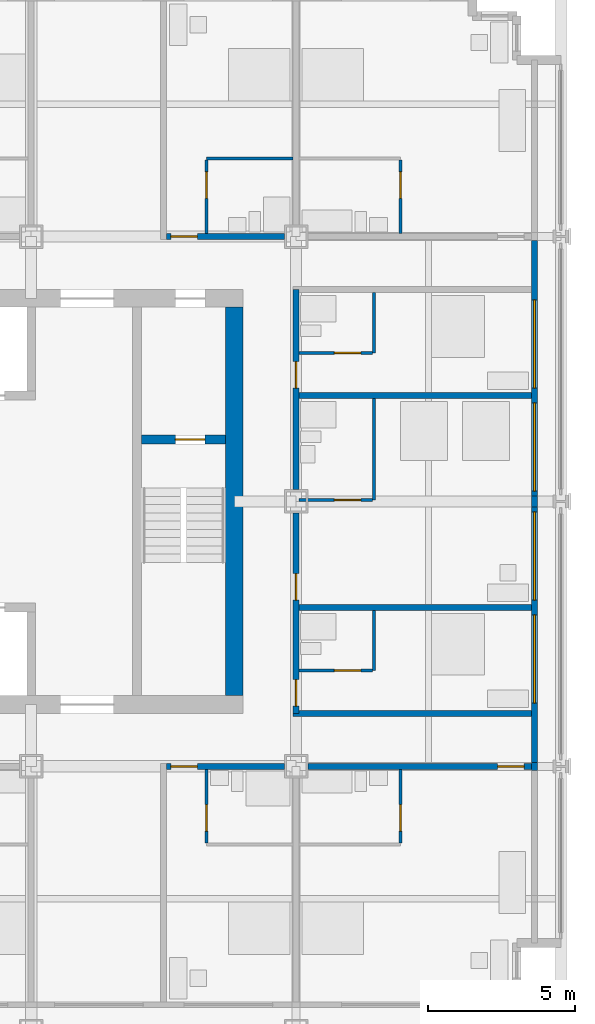
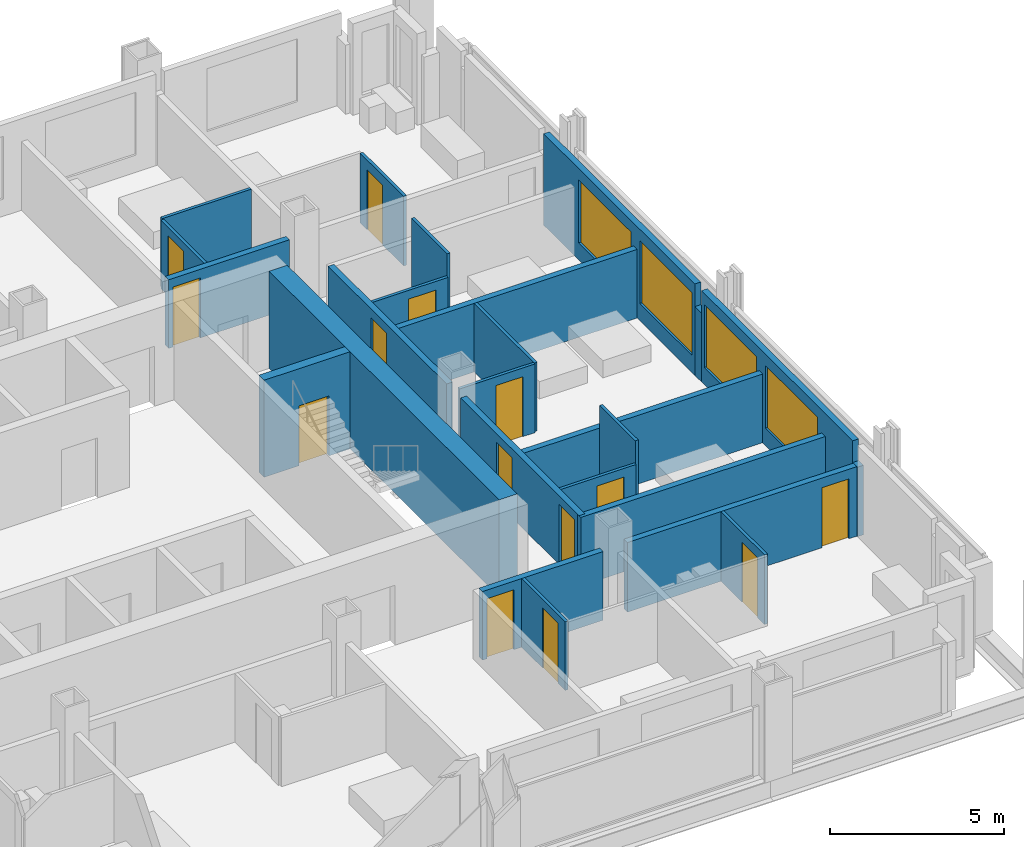
# One storey, part 12 of 17: 25 walls, 14 doors, 4 windows, 18 openings.
"""IFC4 building model written with IfcOpenShell, lengths in metres."""

from ifc_helpers import new_model, si_unit, direction, frame, frame_2d, origin, place, context, subcontext, project, spatial, rectangle, extrude, material, layer, layer_set, type_object, element, fill, save


model = new_model("IFC4")

# Units and contexts
model_context = context("Model", 3, precision=1e-05, world=origin(), true_north=direction((0.0, 1.0)))
body_context = subcontext(model_context, "Body", "Model", "MODEL_VIEW")
ifc_project = project(units=[si_unit("LENGTHUNIT", "METRE"), si_unit("AREAUNIT", "SQUARE_METRE"), si_unit("VOLUMEUNIT", "CUBIC_METRE"), si_unit("PLANEANGLEUNIT", "RADIAN"), si_unit("MASSUNIT", "GRAM", prefix="KILO")], contexts=[model_context])

# Site, building, storey
site_placement = place(None, origin())
site = spatial("IfcSite", under=ifc_project, at=site_placement, CompositionType="ELEMENT")
building_placement = place(site_placement, origin())
building = spatial("IfcBuilding", under=site, at=building_placement, Name="Loomwork Tower", CompositionType="ELEMENT")
storey_placement = place(building_placement, frame((0.0, 0.0, 141.800048828125)))
storey = spatial("IfcBuildingStorey", under=building, at=storey_placement, Name="L38", CompositionType="ELEMENT", Elevation=141.800048828125)

# Wall, opening, door
ifc_material_1 = material(Name="Concrete 14000 psi (97 MPa)", Category="concrete")
ifc_layer_1 = layer(ifc_material_1, 0.300048828125)
ifc_layer_set_1 = layer_set([ifc_layer_1], Name="Core shear wall 300")
wall_type_1 = type_object("IfcWallType", Name="Core shear wall 300", PredefinedType="SHEAR", material=ifc_layer_set_1)
wall_1_placement = place(storey_placement, frame((30.75, 20.10009765625, 0.0), z_axis=(0.0, 0.0, 1.0), x_axis=(1.0, 0.0, 0.0)))
wall_1 = element("IfcWall", 1, at=wall_1_placement, inside=storey, type_object=wall_type_1, Name="Stair B north wall L38", PredefinedType="SHEAR", context=body_context, shape_type="SweptSolid", body=[
    extrude(rectangle(XDim=2.85009765625, YDim=0.300048828125, at=frame_2d((1.425048828125, 0.0))), origin(), (0.0, 0.0, 1.0), 3.39990234375),
])
opening_1_placement = place(wall_1_placement, frame((1.14990234375, 0.0, 0.0)))
opening_1 = element("IfcOpeningElement", 2, at=opening_1_placement, cuts=wall_1, Name="Opening D4", PredefinedType="OPENING", context=body_context, shape_type="SweptSolid", body=[
    extrude(rectangle(XDim=1.0, YDim=2.10009765625, at=frame_2d((0.5, 1.050048828125))), frame((0.0, 0.159912109375, 0.0), z_axis=(0.0, -1.0, 0.0), x_axis=(1.0, 0.0, 0.0)), (0.0, 0.0, 1.0), 0.320068359375),
])
ifc_material_2 = material(Name="Hollow metal door and frame")
door_type_1 = type_object("IfcDoorType", Name="Stair door 1000", OperationType="SINGLE_SWING_RIGHT", PredefinedType="DOOR", material=ifc_material_2)
door_1_placement = place(opening_1_placement, frame((1.0, 0.0, 0.0), z_axis=(0.0, 0.0, 1.0), x_axis=(-1.0, 0.0, 0.0)))
door_1 = element("IfcDoor", 3, at=door_1_placement, inside=storey, type_object=door_type_1, Name="Stair B door", OperationType="SINGLE_SWING_LEFT", OverallHeight=2.10009765625, OverallWidth=1.0, PredefinedType="DOOR", context=body_context, shape_type="SweptSolid", body=[
    extrude(rectangle(XDim=1.0, YDim=2.10009765625, at=frame_2d((0.5, 1.050048828125))), frame((0.0, 0.02490234375, 0.0), z_axis=(0.0, -1.0, 0.0), x_axis=(1.0, 0.0, 0.0)), (0.0, 0.0, 1.0), 0.050048828125),
])
fill(opening_1, door_1)

# Wall
ifc_material_3 = material(Name="Concrete 14000 psi (97 MPa)", Category="concrete")
ifc_layer_2 = layer(ifc_material_3, 0.60009765625)
ifc_layer_set_2 = layer_set([ifc_layer_2], Name="Core shear wall 600")
wall_type_2 = type_object("IfcWallType", Name="Core shear wall 600", PredefinedType="SHEAR", material=ifc_layer_set_2)
wall_2_placement = place(storey_placement, frame((33.89990234375, 11.39990234375, 0.0), z_axis=(0.0, 0.0, 1.0), x_axis=(0.0, 1.0, 0.0)))
element("IfcWall", 4, at=wall_2_placement, inside=storey, type_object=wall_type_2, Name="Core wall east L38", PredefinedType="SHEAR", context=body_context, shape_type="SweptSolid", body=[
    extrude(rectangle(XDim=13.2001953125, YDim=0.60009765625, at=frame_2d((6.60009765625, 0.0))), origin(), (0.0, 0.0, 1.0), 3.39990234375),
])

# Wall, opening, door
ifc_material_4 = material(Name="Gypsum board on steel studs, one-hour", Category="steel")
ifc_layer_3 = layer(ifc_material_4, 0.199951171875)
ifc_layer_set_3 = layer_set([ifc_layer_3], Name="Corridor wall 200")
wall_type_3 = type_object("IfcWallType", Name="Corridor wall 200", PredefinedType="PARTITIONING", material=ifc_layer_set_3)
wall_3_placement = place(storey_placement, frame((31.60009765625, 9.0, 0.0), z_axis=(0.0, 0.0, 1.0), x_axis=(1.0, 0.0, 0.0)))
wall_3 = element("IfcWall", 5, at=wall_3_placement, inside=storey, type_object=wall_type_3, Name="South corridor wall 4", PredefinedType="PARTITIONING", context=body_context, shape_type="SweptSolid", body=[
    extrude(rectangle(XDim=4.0, YDim=0.199951171875, at=frame_2d((2.0, 0.0))), origin(), (0.0, 0.0, 1.0), 2.405029296875),
])
opening_2_placement = place(wall_3_placement, frame((0.14990234375, 0.0, 0.0)))
opening_2 = element("IfcOpeningElement", 6, at=opening_2_placement, cuts=wall_3, Name="Opening D1", PredefinedType="OPENING", context=body_context, shape_type="SweptSolid", body=[
    extrude(rectangle(XDim=0.89990234375, YDim=2.10009765625, at=frame_2d((0.449951171875, 1.050048828125))), frame((0.0, 0.10986328125, 0.0), z_axis=(0.0, -1.0, 0.0), x_axis=(1.0, 0.0, 0.0)), (0.0, 0.0, 1.0), 0.219970703125),
])
ifc_material_5 = material(Name="Hollow metal door and frame")
door_type_2 = type_object("IfcDoorType", Name="Guest room entry door 900", OperationType="SINGLE_SWING_LEFT", PredefinedType="DOOR", material=ifc_material_5)
door_2_placement = place(opening_2_placement, frame((0.89990234375, 0.0, 0.0), z_axis=(0.0, 0.0, 1.0), x_axis=(-1.0, 0.0, 0.0)))
door_2 = element("IfcDoor", 7, at=door_2_placement, inside=storey, type_object=door_type_2, Name="Guest room entry door L38 5", OperationType="SINGLE_SWING_RIGHT", OverallHeight=2.10009765625, OverallWidth=0.89990234375, PredefinedType="DOOR", context=body_context, shape_type="SweptSolid", body=[
    extrude(rectangle(XDim=0.89990234375, YDim=2.10009765625, at=frame_2d((0.449951171875, 1.050048828125))), frame((0.0, 0.02490234375, 0.0), z_axis=(0.0, -1.0, 0.0), x_axis=(1.0, 0.0, 0.0)), (0.0, 0.0, 1.0), 0.050048828125),
])
fill(opening_2, door_2)

wall_4_placement = place(storey_placement, frame((36.39990234375, 9.0, 0.0), z_axis=(0.0, 0.0, 1.0), x_axis=(1.0, 0.0, 0.0)))
wall_4 = element("IfcWall", 8, at=wall_4_placement, inside=storey, type_object=wall_type_3, Name="South corridor wall 5", PredefinedType="PARTITIONING", context=body_context, shape_type="SweptSolid", body=[
    extrude(rectangle(XDim=7.60009765625, YDim=0.199951171875, at=frame_2d((3.800048828125, 0.0))), origin(), (0.0, 0.0, 1.0), 2.43798828125),
])
opening_3_placement = place(wall_4_placement, frame((6.449951171875, 0.0, 0.0)))
opening_3 = element("IfcOpeningElement", 9, at=opening_3_placement, cuts=wall_4, Name="Opening D1", PredefinedType="OPENING", context=body_context, shape_type="SweptSolid", body=[
    extrude(rectangle(XDim=0.89990234375, YDim=2.10009765625, at=frame_2d((0.449951171875, 1.050048828125))), frame((0.0, 0.10986328125, 0.0), z_axis=(0.0, -1.0, 0.0), x_axis=(1.0, 0.0, 0.0)), (0.0, 0.0, 1.0), 0.219970703125),
])
door_3_placement = place(opening_3_placement, frame((0.89990234375, 0.0, 0.0), z_axis=(0.0, 0.0, 1.0), x_axis=(-1.0, 0.0, 0.0)))
door_3 = element("IfcDoor", 10, at=door_3_placement, inside=storey, type_object=door_type_2, Name="Guest room entry door L38 6", OperationType="SINGLE_SWING_LEFT", OverallHeight=2.10009765625, OverallWidth=0.89990234375, PredefinedType="DOOR", context=body_context, shape_type="SweptSolid", body=[
    extrude(rectangle(XDim=0.89990234375, YDim=2.10009765625, at=frame_2d((0.449951171875, 1.050048828125))), frame((0.0, 0.02490234375, 0.0), z_axis=(0.0, -1.0, 0.0), x_axis=(1.0, 0.0, 0.0)), (0.0, 0.0, 1.0), 0.050048828125),
])
fill(opening_3, door_3)

wall_5_placement = place(storey_placement, frame((31.60009765625, 27.0, 0.0), z_axis=(0.0, 0.0, 1.0), x_axis=(1.0, 0.0, 0.0)))
wall_5 = element("IfcWall", 11, at=wall_5_placement, inside=storey, type_object=wall_type_3, Name="North corridor wall 4", PredefinedType="PARTITIONING", context=body_context, shape_type="SweptSolid", body=[
    extrude(rectangle(XDim=4.0, YDim=0.199951171875, at=frame_2d((2.0, 0.0))), origin(), (0.0, 0.0, 1.0), 2.405029296875),
])
opening_4_placement = place(wall_5_placement, frame((0.14990234375, 0.0, 0.0)))
opening_4 = element("IfcOpeningElement", 12, at=opening_4_placement, cuts=wall_5, Name="Opening D1", PredefinedType="OPENING", context=body_context, shape_type="SweptSolid", body=[
    extrude(rectangle(XDim=0.89990234375, YDim=2.10009765625, at=frame_2d((0.449951171875, 1.050048828125))), frame((0.0, 0.10986328125, 0.0), z_axis=(0.0, -1.0, 0.0), x_axis=(1.0, 0.0, 0.0)), (0.0, 0.0, 1.0), 0.219970703125),
])
door_4_placement = place(opening_4_placement, origin())
door_4 = element("IfcDoor", 13, at=door_4_placement, inside=storey, type_object=door_type_2, Name="Guest room entry door L38 12", OperationType="SINGLE_SWING_LEFT", OverallHeight=2.10009765625, OverallWidth=0.89990234375, PredefinedType="DOOR", context=body_context, shape_type="SweptSolid", body=[
    extrude(rectangle(XDim=0.89990234375, YDim=2.10009765625, at=frame_2d((0.449951171875, 1.050048828125))), frame((0.0, 0.02490234375, 0.0), z_axis=(0.0, -1.0, 0.0), x_axis=(1.0, 0.0, 0.0)), (0.0, 0.0, 1.0), 0.050048828125),
])
fill(opening_4, door_4)

# Wall, openings, doors
wall_6_placement = place(storey_placement, frame((36.0, 10.800048828125, 0.0), z_axis=(0.0, 0.0, 1.0), x_axis=(0.0, 1.0, 0.0)))
wall_6 = element("IfcWall", 14, at=wall_6_placement, inside=storey, type_object=wall_type_3, Name="East corridor wall 1", PredefinedType="PARTITIONING", context=body_context, shape_type="SweptSolid", body=[
    extrude(rectangle(XDim=6.800048828125, YDim=0.199951171875, at=frame_2d((3.39990234375, 0.0))), origin(), (0.0, 0.0, 1.0), 2.405029296875),
])
opening_5_placement = place(wall_6_placement, frame((0.25, 0.0, 0.0)))
opening_5 = element("IfcOpeningElement", 15, at=opening_5_placement, cuts=wall_6, Name="Opening D1", PredefinedType="OPENING", context=body_context, shape_type="SweptSolid", body=[
    extrude(rectangle(XDim=0.89990234375, YDim=2.10009765625, at=frame_2d((0.449951171875, 1.050048828125))), frame((0.0, 0.10986328125, 0.0), z_axis=(0.0, -1.0, 0.0), x_axis=(1.0, 0.0, 0.0)), (0.0, 0.0, 1.0), 0.219970703125),
])
opening_6_placement = place(wall_6_placement, frame((3.85009765625, 0.0, 0.0)))
opening_6 = element("IfcOpeningElement", 16, at=opening_6_placement, cuts=wall_6, Name="Opening D1", PredefinedType="OPENING", context=body_context, shape_type="SweptSolid", body=[
    extrude(rectangle(XDim=0.89990234375, YDim=2.10009765625, at=frame_2d((0.449951171875, 1.050048828125))), frame((0.0, 0.10986328125, 0.0), z_axis=(0.0, -1.0, 0.0), x_axis=(1.0, 0.0, 0.0)), (0.0, 0.0, 1.0), 0.219970703125),
])
door_5_placement = place(opening_5_placement, frame((0.89990234375, 0.0, 0.0), z_axis=(0.0, 0.0, 1.0), x_axis=(-1.0, 0.0, 0.0)))
door_5 = element("IfcDoor", 17, at=door_5_placement, inside=storey, type_object=door_type_2, Name="Guest room entry door L38 17", OperationType="SINGLE_SWING_RIGHT", OverallHeight=2.10009765625, OverallWidth=0.89990234375, PredefinedType="DOOR", context=body_context, shape_type="SweptSolid", body=[
    extrude(rectangle(XDim=0.89990234375, YDim=2.10009765625, at=frame_2d((0.449951171875, 1.050048828125))), frame((0.0, 0.02490234375, 0.0), z_axis=(0.0, -1.0, 0.0), x_axis=(1.0, 0.0, 0.0)), (0.0, 0.0, 1.0), 0.050048828125),
])
fill(opening_5, door_5)
door_6_placement = place(opening_6_placement, frame((0.89990234375, 0.0, 0.0), z_axis=(0.0, 0.0, 1.0), x_axis=(-1.0, 0.0, 0.0)))
door_6 = element("IfcDoor", 18, at=door_6_placement, inside=storey, type_object=door_type_2, Name="Guest room entry door L38 18", OperationType="SINGLE_SWING_RIGHT", OverallHeight=2.10009765625, OverallWidth=0.89990234375, PredefinedType="DOOR", context=body_context, shape_type="SweptSolid", body=[
    extrude(rectangle(XDim=0.89990234375, YDim=2.10009765625, at=frame_2d((0.449951171875, 1.050048828125))), frame((0.0, 0.02490234375, 0.0), z_axis=(0.0, -1.0, 0.0), x_axis=(1.0, 0.0, 0.0)), (0.0, 0.0, 1.0), 0.050048828125),
])
fill(opening_6, door_6)

# Wall, opening, door
wall_7_placement = place(storey_placement, frame((36.0, 18.39990234375, 0.0), z_axis=(0.0, 0.0, 1.0), x_axis=(0.0, 1.0, 0.0)))
wall_7 = element("IfcWall", 19, at=wall_7_placement, inside=storey, type_object=wall_type_3, Name="East corridor wall 2", PredefinedType="PARTITIONING", context=body_context, shape_type="SweptSolid", body=[
    extrude(rectangle(XDim=6.800048828125, YDim=0.199951171875, at=frame_2d((3.39990234375, 0.0))), origin(), (0.0, 0.0, 1.0), 2.405029296875),
])
opening_7_placement = place(wall_7_placement, frame((3.449951171875, 0.0, 0.0)))
opening_7 = element("IfcOpeningElement", 20, at=opening_7_placement, cuts=wall_7, Name="Opening D1", PredefinedType="OPENING", context=body_context, shape_type="SweptSolid", body=[
    extrude(rectangle(XDim=0.89990234375, YDim=2.10009765625, at=frame_2d((0.449951171875, 1.050048828125))), frame((0.0, 0.10986328125, 0.0), z_axis=(0.0, -1.0, 0.0), x_axis=(1.0, 0.0, 0.0)), (0.0, 0.0, 1.0), 0.219970703125),
])
door_7_placement = place(opening_7_placement, frame((0.89990234375, 0.0, 0.0), z_axis=(0.0, 0.0, 1.0), x_axis=(-1.0, 0.0, 0.0)))
door_7 = element("IfcDoor", 21, at=door_7_placement, inside=storey, type_object=door_type_2, Name="Guest room entry door L38 19", OperationType="SINGLE_SWING_RIGHT", OverallHeight=2.10009765625, OverallWidth=0.89990234375, PredefinedType="DOOR", context=body_context, shape_type="SweptSolid", body=[
    extrude(rectangle(XDim=0.89990234375, YDim=2.10009765625, at=frame_2d((0.449951171875, 1.050048828125))), frame((0.0, 0.02490234375, 0.0), z_axis=(0.0, -1.0, 0.0), x_axis=(1.0, 0.0, 0.0)), (0.0, 0.0, 1.0), 0.050048828125),
])
fill(opening_7, door_7)

# Wall
wall_8_placement = place(storey_placement, frame((35.89990234375, 10.800048828125, 0.0), z_axis=(0.0, 0.0, 1.0), x_axis=(1.0, 0.0, 0.0)))
element("IfcWall", 22, at=wall_8_placement, inside=storey, type_object=wall_type_3, Name="East band end wall S", PredefinedType="PARTITIONING", context=body_context, shape_type="SweptSolid", body=[
    extrude(rectangle(XDim=8.10009765625, YDim=0.199951171875, at=frame_2d((4.050048828125, 0.0))), origin(), (0.0, 0.0, 1.0), 2.404052734375),
])

# Wall, opening, door
ifc_material_6 = material(Name="Cement board on steel studs", Category="steel")
ifc_layer_4 = layer(ifc_material_6, 0.10009765625)
ifc_layer_set_4 = layer_set([ifc_layer_4], Name="En-suite partition 100")
wall_type_4 = type_object("IfcWallType", Name="En-suite partition 100", PredefinedType="PARTITIONING", material=ifc_layer_set_4)
wall_9_placement = place(storey_placement, frame((32.949951171875, 8.89990234375, 0.0), z_axis=(0.0, 0.0, 1.0), x_axis=(0.0, -1.0, 0.0)))
wall_9 = element("IfcWall", 23, at=wall_9_placement, inside=storey, type_object=wall_type_4, Name="En-suite side wall L38 room 5", PredefinedType="PARTITIONING", context=body_context, shape_type="SweptSolid", body=[
    extrude(rectangle(XDim=2.5, YDim=0.10009765625, at=frame_2d((1.25, 0.0))), origin(), (0.0, 0.0, 1.0), 2.404052734375),
])
opening_8_placement = place(wall_9_placement, frame((1.199951171875, 0.0, 0.0)))
opening_8 = element("IfcOpeningElement", 24, at=opening_8_placement, cuts=wall_9, Name="Opening D3", PredefinedType="OPENING", context=body_context, shape_type="SweptSolid", body=[
    extrude(rectangle(XDim=0.89990234375, YDim=2.10009765625, at=frame_2d((0.449951171875, 1.050048828125))), frame((0.0, 0.06005859375, 0.0), z_axis=(0.0, -1.0, 0.0), x_axis=(1.0, 0.0, 0.0)), (0.0, 0.0, 1.0), 0.1201171875),
])
ifc_material_7 = material(Name="Hollow metal door and frame")
door_type_3 = type_object("IfcDoorType", Name="Accessible en-suite door 900", OperationType="SLIDING_TO_LEFT", PredefinedType="DOOR", material=ifc_material_7)
door_8_placement = place(opening_8_placement, origin())
door_8 = element("IfcDoor", 25, at=door_8_placement, inside=storey, type_object=door_type_3, Name="Accessible en-suite door room 5", OperationType="SLIDING_TO_LEFT", OverallHeight=2.10009765625, OverallWidth=0.89990234375, PredefinedType="DOOR", context=body_context, shape_type="SweptSolid", body=[
    extrude(rectangle(XDim=0.89990234375, YDim=2.10009765625, at=frame_2d((0.449951171875, 1.050048828125))), frame((0.0, 0.02490234375, 0.0), z_axis=(0.0, -1.0, 0.0), x_axis=(1.0, 0.0, 0.0)), (0.0, 0.0, 1.0), 0.050048828125),
])
fill(opening_8, door_8)

wall_10_placement = place(storey_placement, frame((39.550048828125, 8.89990234375, 0.0), z_axis=(0.0, 0.0, 1.0), x_axis=(0.0, -1.0, 0.0)))
wall_10 = element("IfcWall", 26, at=wall_10_placement, inside=storey, type_object=wall_type_4, Name="En-suite side wall L38 room 6", PredefinedType="PARTITIONING", context=body_context, shape_type="SweptSolid", body=[
    extrude(rectangle(XDim=2.5, YDim=0.10009765625, at=frame_2d((1.25, 0.0))), origin(), (0.0, 0.0, 1.0), 2.43798828125),
])
opening_9_placement = place(wall_10_placement, frame((1.199951171875, 0.0, 0.0)))
opening_9 = element("IfcOpeningElement", 27, at=opening_9_placement, cuts=wall_10, Name="Opening D2", PredefinedType="OPENING", context=body_context, shape_type="SweptSolid", body=[
    extrude(rectangle(XDim=0.89990234375, YDim=2.10009765625, at=frame_2d((0.449951171875, 1.050048828125))), frame((0.0, 0.06005859375, 0.0), z_axis=(0.0, -1.0, 0.0), x_axis=(1.0, 0.0, 0.0)), (0.0, 0.0, 1.0), 0.1201171875),
])
ifc_material_8 = material(Name="Hollow metal door and frame")
door_type_4 = type_object("IfcDoorType", Name="En-suite door 900", OperationType="SINGLE_SWING_LEFT", PredefinedType="DOOR", material=ifc_material_8)
door_9_placement = place(opening_9_placement, frame((0.89990234375, 0.0, 0.0), z_axis=(0.0, 0.0, 1.0), x_axis=(-1.0, 0.0, 0.0)))
door_9 = element("IfcDoor", 28, at=door_9_placement, inside=storey, type_object=door_type_4, Name="En-suite door room 6", OperationType="SINGLE_SWING_LEFT", OverallHeight=2.10009765625, OverallWidth=0.89990234375, PredefinedType="DOOR", context=body_context, shape_type="SweptSolid", body=[
    extrude(rectangle(XDim=0.89990234375, YDim=2.10009765625, at=frame_2d((0.449951171875, 1.050048828125))), frame((0.0, 0.02490234375, 0.0), z_axis=(0.0, -1.0, 0.0), x_axis=(1.0, 0.0, 0.0)), (0.0, 0.0, 1.0), 0.050048828125),
])
fill(opening_9, door_9)

# Wall
wall_11_placement = place(storey_placement, frame((32.949951171875, 29.64990234375, 0.0), z_axis=(0.0, 0.0, 1.0), x_axis=(1.0, 0.0, 0.0)))
element("IfcWall", 29, at=wall_11_placement, inside=storey, type_object=wall_type_4, Name="En-suite wall L38 room 12", PredefinedType="PARTITIONING", context=body_context, shape_type="SweptSolid", body=[
    extrude(rectangle(XDim=2.949951171875, YDim=0.10009765625, at=frame_2d((1.47509765625, 0.0))), origin(), (0.0, 0.0, 1.0), 2.43798828125),
])

# Wall, opening, door
wall_12_placement = place(storey_placement, frame((32.949951171875, 27.10009765625, 0.0), z_axis=(0.0, 0.0, 1.0), x_axis=(0.0, 1.0, 0.0)))
wall_12 = element("IfcWall", 30, at=wall_12_placement, inside=storey, type_object=wall_type_4, Name="En-suite side wall L38 room 12", PredefinedType="PARTITIONING", context=body_context, shape_type="SweptSolid", body=[
    extrude(rectangle(XDim=2.5, YDim=0.10009765625, at=frame_2d((1.25, 0.0))), origin(), (0.0, 0.0, 1.0), 2.404052734375),
])
opening_10_placement = place(wall_12_placement, frame((1.199951171875, 0.0, 0.0)))
opening_10 = element("IfcOpeningElement", 31, at=opening_10_placement, cuts=wall_12, Name="Opening D2", PredefinedType="OPENING", context=body_context, shape_type="SweptSolid", body=[
    extrude(rectangle(XDim=0.89990234375, YDim=2.10009765625, at=frame_2d((0.449951171875, 1.050048828125))), frame((0.0, 0.06005859375, 0.0), z_axis=(0.0, -1.0, 0.0), x_axis=(1.0, 0.0, 0.0)), (0.0, 0.0, 1.0), 0.1201171875),
])
door_10_placement = place(opening_10_placement, frame((0.89990234375, 0.0, 0.0), z_axis=(0.0, 0.0, 1.0), x_axis=(-1.0, 0.0, 0.0)))
door_10 = element("IfcDoor", 32, at=door_10_placement, inside=storey, type_object=door_type_4, Name="En-suite door room 12", OperationType="SINGLE_SWING_LEFT", OverallHeight=2.10009765625, OverallWidth=0.89990234375, PredefinedType="DOOR", context=body_context, shape_type="SweptSolid", body=[
    extrude(rectangle(XDim=0.89990234375, YDim=2.10009765625, at=frame_2d((0.449951171875, 1.050048828125))), frame((0.0, 0.02490234375, 0.0), z_axis=(0.0, -1.0, 0.0), x_axis=(1.0, 0.0, 0.0)), (0.0, 0.0, 1.0), 0.050048828125),
])
fill(opening_10, door_10)

wall_13_placement = place(storey_placement, frame((39.550048828125, 27.10009765625, 0.0), z_axis=(0.0, 0.0, 1.0), x_axis=(0.0, 1.0, 0.0)))
wall_13 = element("IfcWall", 33, at=wall_13_placement, inside=storey, type_object=wall_type_4, Name="En-suite side wall L38 room 13", PredefinedType="PARTITIONING", context=body_context, shape_type="SweptSolid", body=[
    extrude(rectangle(XDim=2.5, YDim=0.10009765625, at=frame_2d((1.25, 0.0))), origin(), (0.0, 0.0, 1.0), 2.43798828125),
])
opening_11_placement = place(wall_13_placement, frame((1.199951171875, 0.0, 0.0)))
opening_11 = element("IfcOpeningElement", 34, at=opening_11_placement, cuts=wall_13, Name="Opening D2", PredefinedType="OPENING", context=body_context, shape_type="SweptSolid", body=[
    extrude(rectangle(XDim=0.89990234375, YDim=2.10009765625, at=frame_2d((0.449951171875, 1.050048828125))), frame((0.0, 0.06005859375, 0.0), z_axis=(0.0, -1.0, 0.0), x_axis=(1.0, 0.0, 0.0)), (0.0, 0.0, 1.0), 0.1201171875),
])
door_11_placement = place(opening_11_placement, origin())
door_11 = element("IfcDoor", 35, at=door_11_placement, inside=storey, type_object=door_type_4, Name="En-suite door room 13", OperationType="SINGLE_SWING_RIGHT", OverallHeight=2.10009765625, OverallWidth=0.89990234375, PredefinedType="DOOR", context=body_context, shape_type="SweptSolid", body=[
    extrude(rectangle(XDim=0.89990234375, YDim=2.10009765625, at=frame_2d((0.449951171875, 1.050048828125))), frame((0.0, 0.02490234375, 0.0), z_axis=(0.0, -1.0, 0.0), x_axis=(1.0, 0.0, 0.0)), (0.0, 0.0, 1.0), 0.050048828125),
])
fill(opening_11, door_11)

# Wall
wall_14_placement = place(storey_placement, frame((38.64990234375, 12.25, 0.0), z_axis=(0.0, 0.0, 1.0), x_axis=(0.0, 1.0, 0.0)))
element("IfcWall", 36, at=wall_14_placement, inside=storey, type_object=wall_type_4, Name="En-suite wall L38 room 17", PredefinedType="PARTITIONING", context=body_context, shape_type="SweptSolid", body=[
    extrude(rectangle(XDim=2.050048828125, YDim=0.10009765625, at=frame_2d((1.02490234375, 0.0))), origin(), (0.0, 0.0, 1.0), 3.199951171875),
])

# Wall, opening, door
wall_15_placement = place(storey_placement, frame((36.10009765625, 12.25, 0.0), z_axis=(0.0, 0.0, 1.0), x_axis=(1.0, 0.0, 0.0)))
wall_15 = element("IfcWall", 37, at=wall_15_placement, inside=storey, type_object=wall_type_4, Name="En-suite side wall L38 room 17", PredefinedType="PARTITIONING", context=body_context, shape_type="SweptSolid", body=[
    extrude(rectangle(XDim=2.5, YDim=0.10009765625, at=frame_2d((1.25, 0.0))), origin(), (0.0, 0.0, 1.0), 2.404052734375),
])
opening_12_placement = place(wall_15_placement, frame((1.199951171875, 0.0, 0.0)))
opening_12 = element("IfcOpeningElement", 38, at=opening_12_placement, cuts=wall_15, Name="Opening D2", PredefinedType="OPENING", context=body_context, shape_type="SweptSolid", body=[
    extrude(rectangle(XDim=0.89990234375, YDim=2.10009765625, at=frame_2d((0.449951171875, 1.050048828125))), frame((0.0, 0.06005859375, 0.0), z_axis=(0.0, -1.0, 0.0), x_axis=(1.0, 0.0, 0.0)), (0.0, 0.0, 1.0), 0.1201171875),
])
door_12_placement = place(opening_12_placement, origin())
door_12 = element("IfcDoor", 39, at=door_12_placement, inside=storey, type_object=door_type_4, Name="En-suite door room 17", OperationType="SINGLE_SWING_RIGHT", OverallHeight=2.10009765625, OverallWidth=0.89990234375, PredefinedType="DOOR", context=body_context, shape_type="SweptSolid", body=[
    extrude(rectangle(XDim=0.89990234375, YDim=2.10009765625, at=frame_2d((0.449951171875, 1.050048828125))), frame((0.0, 0.02490234375, 0.0), z_axis=(0.0, -1.0, 0.0), x_axis=(1.0, 0.0, 0.0)), (0.0, 0.0, 1.0), 0.050048828125),
])
fill(opening_12, door_12)

# Wall
wall_16_placement = place(storey_placement, frame((38.64990234375, 18.050048828125, 0.0), z_axis=(0.0, 0.0, 1.0), x_axis=(0.0, 1.0, 0.0)))
element("IfcWall", 40, at=wall_16_placement, inside=storey, type_object=wall_type_4, Name="En-suite wall L38 room 18", PredefinedType="PARTITIONING", context=body_context, shape_type="SweptSolid", body=[
    extrude(rectangle(XDim=3.449951171875, YDim=0.10009765625, at=frame_2d((1.72509765625, 0.0))), origin(), (0.0, 0.0, 1.0), 2.404052734375),
])

# Wall, opening, door
wall_17_placement = place(storey_placement, frame((36.10009765625, 18.050048828125, 0.0), z_axis=(0.0, 0.0, 1.0), x_axis=(1.0, 0.0, 0.0)))
wall_17 = element("IfcWall", 41, at=wall_17_placement, inside=storey, type_object=wall_type_4, Name="En-suite side wall L38 room 18", PredefinedType="PARTITIONING", context=body_context, shape_type="SweptSolid", body=[
    extrude(rectangle(XDim=2.5, YDim=0.10009765625, at=frame_2d((1.25, 0.0))), origin(), (0.0, 0.0, 1.0), 2.405029296875),
])
opening_13_placement = place(wall_17_placement, frame((1.199951171875, 0.0, 0.0)))
opening_13 = element("IfcOpeningElement", 42, at=opening_13_placement, cuts=wall_17, Name="Opening D2", PredefinedType="OPENING", context=body_context, shape_type="SweptSolid", body=[
    extrude(rectangle(XDim=0.89990234375, YDim=2.10009765625, at=frame_2d((0.449951171875, 1.050048828125))), frame((0.0, 0.06005859375, 0.0), z_axis=(0.0, -1.0, 0.0), x_axis=(1.0, 0.0, 0.0)), (0.0, 0.0, 1.0), 0.1201171875),
])
door_13_placement = place(opening_13_placement, origin())
door_13 = element("IfcDoor", 43, at=door_13_placement, inside=storey, type_object=door_type_4, Name="En-suite door room 18", OperationType="SINGLE_SWING_RIGHT", OverallHeight=2.10009765625, OverallWidth=0.89990234375, PredefinedType="DOOR", context=body_context, shape_type="SweptSolid", body=[
    extrude(rectangle(XDim=0.89990234375, YDim=2.10009765625, at=frame_2d((0.449951171875, 1.050048828125))), frame((0.0, 0.02490234375, 0.0), z_axis=(0.0, -1.0, 0.0), x_axis=(1.0, 0.0, 0.0)), (0.0, 0.0, 1.0), 0.050048828125),
])
fill(opening_13, door_13)

# Wall
wall_18_placement = place(storey_placement, frame((38.64990234375, 23.050048828125, 0.0), z_axis=(0.0, 0.0, 1.0), x_axis=(0.0, 1.0, 0.0)))
element("IfcWall", 44, at=wall_18_placement, inside=storey, type_object=wall_type_4, Name="En-suite wall L38 room 19", PredefinedType="PARTITIONING", context=body_context, shape_type="SweptSolid", body=[
    extrude(rectangle(XDim=2.050048828125, YDim=0.10009765625, at=frame_2d((1.02490234375, 0.0))), origin(), (0.0, 0.0, 1.0), 3.199951171875),
])

# Wall, opening, door
wall_19_placement = place(storey_placement, frame((36.10009765625, 23.050048828125, 0.0), z_axis=(0.0, 0.0, 1.0), x_axis=(1.0, 0.0, 0.0)))
wall_19 = element("IfcWall", 45, at=wall_19_placement, inside=storey, type_object=wall_type_4, Name="En-suite side wall L38 room 19", PredefinedType="PARTITIONING", context=body_context, shape_type="SweptSolid", body=[
    extrude(rectangle(XDim=2.5, YDim=0.10009765625, at=frame_2d((1.25, 0.0))), origin(), (0.0, 0.0, 1.0), 2.404052734375),
])
opening_14_placement = place(wall_19_placement, frame((1.199951171875, 0.0, 0.0)))
opening_14 = element("IfcOpeningElement", 46, at=opening_14_placement, cuts=wall_19, Name="Opening D2", PredefinedType="OPENING", context=body_context, shape_type="SweptSolid", body=[
    extrude(rectangle(XDim=0.89990234375, YDim=2.10009765625, at=frame_2d((0.449951171875, 1.050048828125))), frame((0.0, 0.06005859375, 0.0), z_axis=(0.0, -1.0, 0.0), x_axis=(1.0, 0.0, 0.0)), (0.0, 0.0, 1.0), 0.1201171875),
])
door_14_placement = place(opening_14_placement, origin())
door_14 = element("IfcDoor", 47, at=door_14_placement, inside=storey, type_object=door_type_4, Name="En-suite door room 19", OperationType="SINGLE_SWING_RIGHT", OverallHeight=2.10009765625, OverallWidth=0.89990234375, PredefinedType="DOOR", context=body_context, shape_type="SweptSolid", body=[
    extrude(rectangle(XDim=0.89990234375, YDim=2.10009765625, at=frame_2d((0.449951171875, 1.050048828125))), frame((0.0, 0.02490234375, 0.0), z_axis=(0.0, -1.0, 0.0), x_axis=(1.0, 0.0, 0.0)), (0.0, 0.0, 1.0), 0.050048828125),
])
fill(opening_14, door_14)

# Walls
ifc_material_9 = material(Name="Gypsum board on steel studs, acoustic", Category="steel")
ifc_layer_5 = layer(ifc_material_9, 0.199951171875)
ifc_layer_set_5 = layer_set([ifc_layer_5], Name="Guest room party wall 200")
wall_type_5 = type_object("IfcWallType", Name="Guest room party wall 200", PredefinedType="PARTITIONING", material=ifc_layer_set_5)
for number, where, z_axis, x_axis, name in (
    (48, (36.10009765625, 14.39990234375, 0.0), (0.0, 0.0, 1.0), (1.0, 0.0, 0.0), "Guest room party wall E 14.4"),
    (49, (36.10009765625, 21.60009765625, 0.0), (0.0, 0.0, 1.0), (1.0, 0.0, 0.0), "Guest room party wall E 21.6"),
):
    element("IfcWall", number, at=place(storey_placement, frame(where, z_axis=z_axis, x_axis=x_axis)), inside=storey, type_object=wall_type_5, Name=name, PredefinedType="PARTITIONING", context=body_context, shape_type="SweptSolid", body=[
        extrude(rectangle(XDim=7.89990234375, YDim=0.199951171875, at=frame_2d((3.949951171875, 0.0))), origin(), (0.0, 0.0, 1.0), 2.404052734375),
    ])
ifc_material_10 = material(Name="Insulated steel stud wall with gypsum lining", Category="steel")
ifc_layer_6 = layer(ifc_material_10, 0.199951171875)
ifc_layer_set_6 = layer_set([ifc_layer_6], Name="Inner skin wall 200")
wall_type_6 = type_object("IfcWallType", Name="Inner skin wall 200", PredefinedType="SOLIDWALL", material=ifc_layer_set_6)
wall_20_placement = place(storey_placement, frame((44.10009765625, 8.86474609375, 0.0), z_axis=(0.0, 0.0, 1.0), x_axis=(0.0, 1.0, 0.0)))
element("IfcWall", 50, at=wall_20_placement, inside=storey, type_object=wall_type_6, Name="Inner skin wall E bay 4", PredefinedType="SOLIDWALL", context=body_context, shape_type="SweptSolid", body=[
    extrude(rectangle(XDim=0.2705078125, YDim=0.199951171875, at=frame_2d((0.13525390625, 0.0))), origin(), (0.0, 0.0, 1.0), 2.43798828125),
])

# Wall, openings, windows
wall_21_placement = place(storey_placement, frame((44.10009765625, 9.13525390625, 0.0), z_axis=(0.0, 0.0, 1.0), x_axis=(0.0, 1.0, 0.0)))
wall_21 = element("IfcWall", 51, at=wall_21_placement, inside=storey, type_object=wall_type_6, Name="Inner skin wall E bay 5", PredefinedType="SOLIDWALL", context=body_context, shape_type="SweptSolid", body=[
    extrude(rectangle(XDim=8.6708984375, YDim=0.199951171875, at=frame_2d((4.33544921875, 0.0))), origin(), (0.0, 0.0, 1.0), 3.199951171875),
])
opening_15_placement = place(wall_21_placement, frame((2.0146484375, 0.0, 0.60009765625)))
opening_15 = element("IfcOpeningElement", 52, at=opening_15_placement, cuts=wall_21, Name="Opening CH1", PredefinedType="OPENING", context=body_context, shape_type="SweptSolid", body=[
    extrude(rectangle(XDim=3.0, YDim=2.199951171875, at=frame_2d((1.5, 1.10009765625))), frame((0.0, 0.10986328125, 0.0), z_axis=(0.0, -1.0, 0.0), x_axis=(1.0, 0.0, 0.0)), (0.0, 0.0, 1.0), 0.219970703125),
])
opening_16_placement = place(wall_21_placement, frame((5.5146484375, 0.0, 0.60009765625)))
opening_16 = element("IfcOpeningElement", 53, at=opening_16_placement, cuts=wall_21, Name="Opening CH1", PredefinedType="OPENING", context=body_context, shape_type="SweptSolid", body=[
    extrude(rectangle(XDim=3.0, YDim=2.199951171875, at=frame_2d((1.5, 1.10009765625))), frame((0.0, 0.10986328125, 0.0), z_axis=(0.0, -1.0, 0.0), x_axis=(1.0, 0.0, 0.0)), (0.0, 0.0, 1.0), 0.219970703125),
])
ifc_material_11 = material(Name="Aluminium frame with clear insulated glass", Category="aluminium")
window_type = type_object("IfcWindowType", Name="Chicago window 3000", PartitioningType="TRIPLE_PANEL_VERTICAL", PredefinedType="WINDOW", material=ifc_material_11)
window_1_placement = place(opening_15_placement, origin())
window_1 = element("IfcWindow", 54, at=window_1_placement, inside=storey, type_object=window_type, Name="Chicago window L38 bay 13", OverallHeight=2.199951171875, OverallWidth=3.0, PartitioningType="TRIPLE_PANEL_VERTICAL", PredefinedType="WINDOW", context=body_context, shape_type="SweptSolid", body=[
    extrude(rectangle(XDim=3.0, YDim=2.199951171875, at=frame_2d((1.5, 1.10009765625))), frame((0.0, 0.030029296875, 0.0), z_axis=(0.0, -1.0, 0.0), x_axis=(1.0, 0.0, 0.0)), (0.0, 0.0, 1.0), 0.06005859375),
])
fill(opening_15, window_1)
window_2_placement = place(opening_16_placement, origin())
window_2 = element("IfcWindow", 55, at=window_2_placement, inside=storey, type_object=window_type, Name="Chicago window L38 bay 13", OverallHeight=2.199951171875, OverallWidth=3.0, PartitioningType="TRIPLE_PANEL_VERTICAL", PredefinedType="WINDOW", context=body_context, shape_type="SweptSolid", body=[
    extrude(rectangle(XDim=3.0, YDim=2.199951171875, at=frame_2d((1.5, 1.10009765625))), frame((0.0, 0.030029296875, 0.0), z_axis=(0.0, -1.0, 0.0), x_axis=(1.0, 0.0, 0.0)), (0.0, 0.0, 1.0), 0.06005859375),
])
fill(opening_16, window_2)

# Wall
wall_22_placement = place(storey_placement, frame((44.10009765625, 17.80615234375, 0.0), z_axis=(0.0, 0.0, 1.0), x_axis=(0.0, 1.0, 0.0)))
element("IfcWall", 56, at=wall_22_placement, inside=storey, type_object=wall_type_6, Name="Inner skin wall E bay 6", PredefinedType="SOLIDWALL", context=body_context, shape_type="SweptSolid", body=[
    extrude(rectangle(XDim=0.3876953125, YDim=0.199951171875, at=frame_2d((0.19384765625, 0.0))), origin(), (0.0, 0.0, 1.0), 2.404052734375),
])

# Wall, openings, windows
wall_23_placement = place(storey_placement, frame((44.10009765625, 18.19384765625, 0.0), z_axis=(0.0, 0.0, 1.0), x_axis=(0.0, 1.0, 0.0)))
wall_23 = element("IfcWall", 57, at=wall_23_placement, inside=storey, type_object=wall_type_6, Name="Inner skin wall E bay 7", PredefinedType="SOLIDWALL", context=body_context, shape_type="SweptSolid", body=[
    extrude(rectangle(XDim=8.6708984375, YDim=0.199951171875, at=frame_2d((4.33544921875, 0.0))), origin(), (0.0, 0.0, 1.0), 3.199951171875),
])
opening_17_placement = place(wall_23_placement, frame((0.15625, 0.0, 0.60009765625)))
opening_17 = element("IfcOpeningElement", 58, at=opening_17_placement, cuts=wall_23, Name="Opening CH1", PredefinedType="OPENING", context=body_context, shape_type="SweptSolid", body=[
    extrude(rectangle(XDim=3.0, YDim=2.199951171875, at=frame_2d((1.5, 1.10009765625))), frame((0.0, 0.10986328125, 0.0), z_axis=(0.0, -1.0, 0.0), x_axis=(1.0, 0.0, 0.0)), (0.0, 0.0, 1.0), 0.219970703125),
])
opening_18_placement = place(wall_23_placement, frame((3.65625, 0.0, 0.60009765625)))
opening_18 = element("IfcOpeningElement", 59, at=opening_18_placement, cuts=wall_23, Name="Opening CH1", PredefinedType="OPENING", context=body_context, shape_type="SweptSolid", body=[
    extrude(rectangle(XDim=3.0, YDim=2.199951171875, at=frame_2d((1.5, 1.10009765625))), frame((0.0, 0.10986328125, 0.0), z_axis=(0.0, -1.0, 0.0), x_axis=(1.0, 0.0, 0.0)), (0.0, 0.0, 1.0), 0.219970703125),
])
window_3_placement = place(opening_17_placement, origin())
window_3 = element("IfcWindow", 60, at=window_3_placement, inside=storey, type_object=window_type, Name="Chicago window L38 bay 14", OverallHeight=2.199951171875, OverallWidth=3.0, PartitioningType="TRIPLE_PANEL_VERTICAL", PredefinedType="WINDOW", context=body_context, shape_type="SweptSolid", body=[
    extrude(rectangle(XDim=3.0, YDim=2.199951171875, at=frame_2d((1.5, 1.10009765625))), frame((0.0, 0.030029296875, 0.0), z_axis=(0.0, -1.0, 0.0), x_axis=(1.0, 0.0, 0.0)), (0.0, 0.0, 1.0), 0.06005859375),
])
fill(opening_17, window_3)
window_4_placement = place(opening_18_placement, origin())
window_4 = element("IfcWindow", 61, at=window_4_placement, inside=storey, type_object=window_type, Name="Chicago window L38 bay 14", OverallHeight=2.199951171875, OverallWidth=3.0, PartitioningType="TRIPLE_PANEL_VERTICAL", PredefinedType="WINDOW", context=body_context, shape_type="SweptSolid", body=[
    extrude(rectangle(XDim=3.0, YDim=2.199951171875, at=frame_2d((1.5, 1.10009765625))), frame((0.0, 0.030029296875, 0.0), z_axis=(0.0, -1.0, 0.0), x_axis=(1.0, 0.0, 0.0)), (0.0, 0.0, 1.0), 0.06005859375),
])
fill(opening_18, window_4)

save(model, "model.ifc")
